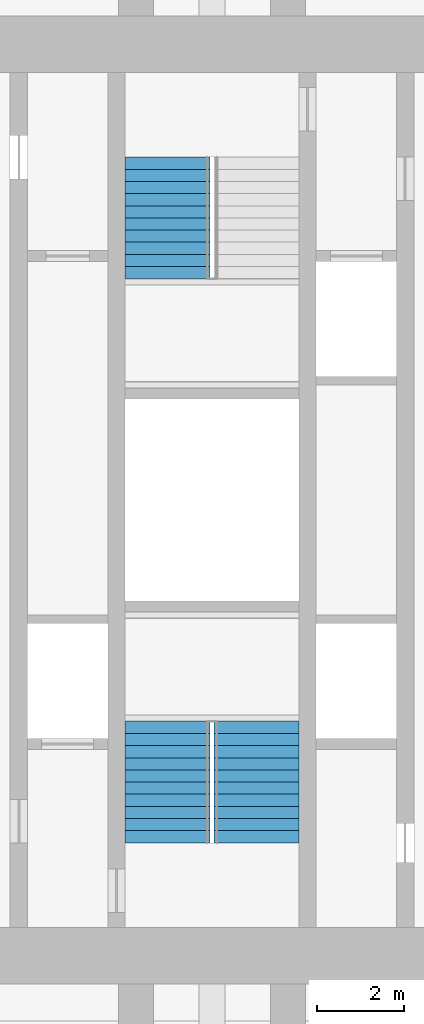
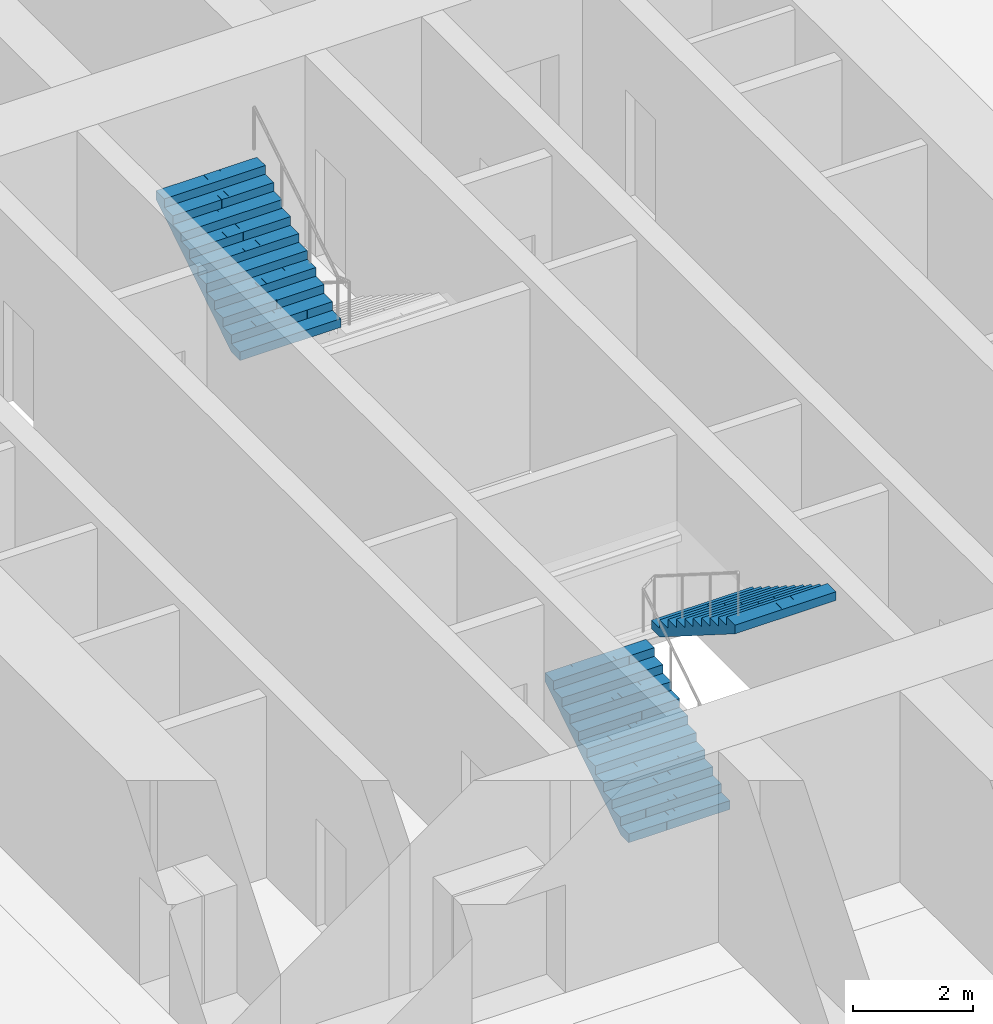
# One storey, part 20 of 22: 3 stair flights, 2 elements without a shape of their own.
"""IFC4 building model written with IfcOpenShell, lengths in metres."""

from ifc_helpers import new_model, si_unit, direction, frame, origin, place, context, subcontext, project, spatial, polyline, outline, extrude, material, type_object, element, aggregate, save


model = new_model("IFC4")

# Units and contexts
model_context = context("Model", 3, precision=1e-05, world=origin(), true_north=direction((0.0, 1.0)))
body_context = subcontext(model_context, "Body", "Model", "MODEL_VIEW")
ifc_project = project(units=[si_unit("LENGTHUNIT", "METRE"), si_unit("AREAUNIT", "SQUARE_METRE"), si_unit("VOLUMEUNIT", "CUBIC_METRE"), si_unit("PLANEANGLEUNIT", "RADIAN"), si_unit("MASSUNIT", "GRAM", prefix="KILO")], contexts=[model_context])

# Site, building, storey
site_placement = place(None, origin())
site = spatial("IfcSite", under=ifc_project, at=site_placement, CompositionType="ELEMENT")
building_placement = place(site_placement, origin())
building = spatial("IfcBuilding", under=site, at=building_placement, Name="Mizan Broadcast Tower", CompositionType="ELEMENT")
storey_placement = place(building_placement, frame((0.0, 0.0, 70.800048828125)))
storey = spatial("IfcBuildingStorey", under=building, at=storey_placement, Name="L14", CompositionType="ELEMENT", Elevation=70.800048828125)

# Stair, stair flights
ifc_material_1 = material(Name="Concrete C40/50", Category="concrete")
stair_type = type_object("IfcStairType", Name="EXIT STAIR", PredefinedType="HALF_TURN_STAIR", material=ifc_material_1)
stair_1_placement = place(storey_placement, origin())
stair_1 = element("IfcStair", 1, at=stair_1_placement, inside=storey, type_object=stair_type, Name="Stair A L14", PredefinedType="HALF_TURN_STAIR")
ifc_material_2 = material(Name="Concrete C40/50", Category="concrete")
stair_flight_type = type_object("IfcStairFlightType", Name="EXIT STAIR FLIGHT", PredefinedType="STRAIGHT", material=ifc_material_2)
stair_flight_1_placement = place(storey_placement, frame((-1.02490234375, -7.89990234375, 0.0), z_axis=(0.0, 0.0, 1.0), x_axis=(0.0, 1.0, 0.0)))
stair_flight_1 = element("IfcStairFlight", 2, at=stair_flight_1_placement, type_object=stair_flight_type, Name="A flight 1", NumberOfRisers=11, NumberOfTreads=10, PredefinedType="STRAIGHT", RiserHeight=0.177272727, TreadLength=0.28, context=body_context, shape_type="SweptSolid", body=[
    extrude(outline(polyline([(0.0, 0.0), (0.0, 0.17724609375), (0.280029296875, 0.17724609375), (0.280029296875, 0.3544921875), (0.56005859375, 0.3544921875), (0.56005859375, 0.53173828125), (0.840087890625, 0.53173828125), (0.840087890625, 0.708984375), (1.1201171875, 0.708984375), (1.1201171875, 0.886474609375), (1.39990234375, 0.886474609375), (1.39990234375, 1.063720703125), (1.679931640625, 1.063720703125), (1.679931640625, 1.240966796875), (1.9599609375, 1.240966796875), (1.9599609375, 1.418212890625), (2.239990234375, 1.418212890625), (2.239990234375, 1.595458984375), (2.52001953125, 1.595458984375), (2.52001953125, 1.772705078125), (2.800048828125, 1.772705078125), (2.800048828125, 1.949951171875), (2.800048828125, 1.59521484375), (0.2802734375, 0.0), (0.0, 0.0)])), frame((0.0, 0.97509765625, 0.0), z_axis=(0.0, -1.0, 0.0), x_axis=(1.0, 0.0, 0.0)), (0.0, 0.0, 1.0), 0.4873046875),
    extrude(outline(polyline([(0.0, 0.0), (0.0, 0.17724609375), (0.280029296875, 0.17724609375), (0.280029296875, 0.3544921875), (0.56005859375, 0.3544921875), (0.56005859375, 0.53173828125), (0.840087890625, 0.53173828125), (0.840087890625, 0.708984375), (1.1201171875, 0.708984375), (1.1201171875, 0.886474609375), (1.39990234375, 0.886474609375), (1.39990234375, 1.063720703125), (1.679931640625, 1.063720703125), (1.679931640625, 1.240966796875), (1.9599609375, 1.240966796875), (1.9599609375, 1.418212890625), (2.239990234375, 1.418212890625), (2.239990234375, 1.595458984375), (2.52001953125, 1.595458984375), (2.52001953125, 1.772705078125), (2.800048828125, 1.772705078125), (2.800048828125, 1.949951171875), (2.800048828125, 1.59521484375), (0.2802734375, 0.0), (0.0, 0.0)])), frame((0.0, 0.4873046875, 0.0), z_axis=(0.0, -1.0, 0.0), x_axis=(1.0, 0.0, 0.0)), (0.0, 0.0, 1.0), 0.2431640625),
    extrude(outline(polyline([(0.0, 0.0), (0.0, 0.17724609375), (0.280029296875, 0.17724609375), (0.280029296875, 0.3544921875), (0.56005859375, 0.3544921875), (0.56005859375, 0.53173828125), (0.840087890625, 0.53173828125), (0.840087890625, 0.708984375), (1.1201171875, 0.708984375), (1.1201171875, 0.886474609375), (1.39990234375, 0.886474609375), (1.39990234375, 1.063720703125), (1.679931640625, 1.063720703125), (1.679931640625, 1.240966796875), (1.9599609375, 1.240966796875), (1.9599609375, 1.418212890625), (2.239990234375, 1.418212890625), (2.239990234375, 1.595458984375), (2.52001953125, 1.595458984375), (2.52001953125, 1.772705078125), (2.800048828125, 1.772705078125), (2.800048828125, 1.949951171875), (2.800048828125, 1.59521484375), (0.2802734375, 0.0), (0.0, 0.0)])), frame((0.0, 0.24365234375, 0.0), z_axis=(0.0, -1.0, 0.0), x_axis=(1.0, 0.0, 0.0)), (0.0, 0.0, 1.0), 0.121337890625),
    extrude(outline(polyline([(0.0, 0.0), (0.0, 0.17724609375), (0.280029296875, 0.17724609375), (0.280029296875, 0.3544921875), (0.56005859375, 0.3544921875), (0.56005859375, 0.53173828125), (0.840087890625, 0.53173828125), (0.840087890625, 0.708984375), (1.1201171875, 0.708984375), (1.1201171875, 0.886474609375), (1.39990234375, 0.886474609375), (1.39990234375, 1.063720703125), (1.679931640625, 1.063720703125), (1.679931640625, 1.240966796875), (1.9599609375, 1.240966796875), (1.9599609375, 1.418212890625), (2.239990234375, 1.418212890625), (2.239990234375, 1.595458984375), (2.52001953125, 1.595458984375), (2.52001953125, 1.772705078125), (2.800048828125, 1.772705078125), (2.800048828125, 1.949951171875), (2.800048828125, 1.59521484375), (0.2802734375, 0.0), (0.0, 0.0)])), frame((0.0, 0.121826171875, 0.0), z_axis=(0.0, -1.0, 0.0), x_axis=(1.0, 0.0, 0.0)), (0.0, 0.0, 1.0), 0.060546875),
    extrude(outline(polyline([(0.0, 0.0), (0.0, 0.17724609375), (0.280029296875, 0.17724609375), (0.280029296875, 0.3544921875), (0.56005859375, 0.3544921875), (0.56005859375, 0.53173828125), (0.840087890625, 0.53173828125), (0.840087890625, 0.708984375), (1.1201171875, 0.708984375), (1.1201171875, 0.886474609375), (1.39990234375, 0.886474609375), (1.39990234375, 1.063720703125), (1.679931640625, 1.063720703125), (1.679931640625, 1.240966796875), (1.9599609375, 1.240966796875), (1.9599609375, 1.418212890625), (2.239990234375, 1.418212890625), (2.239990234375, 1.595458984375), (2.52001953125, 1.595458984375), (2.52001953125, 1.772705078125), (2.800048828125, 1.772705078125), (2.800048828125, 1.949951171875), (2.800048828125, 1.59521484375), (0.2802734375, 0.0), (0.0, 0.0)])), frame((0.0, 0.060791015625, 0.0), z_axis=(0.0, -1.0, 0.0), x_axis=(1.0, 0.0, 0.0)), (0.0, 0.0, 1.0), 0.030029296875),
    extrude(outline(polyline([(0.0, 0.0), (0.0, 0.17724609375), (0.280029296875, 0.17724609375), (0.280029296875, 0.3544921875), (0.56005859375, 0.3544921875), (0.56005859375, 0.53173828125), (0.840087890625, 0.53173828125), (0.840087890625, 0.708984375), (1.1201171875, 0.708984375), (1.1201171875, 0.886474609375), (1.39990234375, 0.886474609375), (1.39990234375, 1.063720703125), (1.679931640625, 1.063720703125), (1.679931640625, 1.240966796875), (1.9599609375, 1.240966796875), (1.9599609375, 1.418212890625), (2.239990234375, 1.418212890625), (2.239990234375, 1.595458984375), (2.52001953125, 1.595458984375), (2.52001953125, 1.772705078125), (2.800048828125, 1.772705078125), (2.800048828125, 1.949951171875), (2.800048828125, 1.59521484375), (0.2802734375, 0.0), (0.0, 0.0)])), frame((0.0, 0.0302734375, 0.0), z_axis=(0.0, -1.0, 0.0), x_axis=(1.0, 0.0, 0.0)), (0.0, 0.0, 1.0), 0.060302734375),
    extrude(outline(polyline([(0.0, 0.0), (0.0, 0.17724609375), (0.280029296875, 0.17724609375), (0.280029296875, 0.3544921875), (0.56005859375, 0.3544921875), (0.56005859375, 0.53173828125), (0.840087890625, 0.53173828125), (0.840087890625, 0.708984375), (1.1201171875, 0.708984375), (1.1201171875, 0.886474609375), (1.39990234375, 0.886474609375), (1.39990234375, 1.063720703125), (1.679931640625, 1.063720703125), (1.679931640625, 1.240966796875), (1.9599609375, 1.240966796875), (1.9599609375, 1.418212890625), (2.239990234375, 1.418212890625), (2.239990234375, 1.595458984375), (2.52001953125, 1.595458984375), (2.52001953125, 1.772705078125), (2.800048828125, 1.772705078125), (2.800048828125, 1.949951171875), (2.800048828125, 1.59521484375), (0.2802734375, 0.0), (0.0, 0.0)])), frame((0.0, -0.030517578125, 0.0), z_axis=(0.0, -1.0, 0.0), x_axis=(1.0, 0.0, 0.0)), (0.0, 0.0, 1.0), 0.030029296875),
    extrude(outline(polyline([(0.0, 0.0), (0.0, 0.17724609375), (0.280029296875, 0.17724609375), (0.280029296875, 0.3544921875), (0.56005859375, 0.3544921875), (0.56005859375, 0.53173828125), (0.840087890625, 0.53173828125), (0.840087890625, 0.708984375), (1.1201171875, 0.708984375), (1.1201171875, 0.886474609375), (1.39990234375, 0.886474609375), (1.39990234375, 1.063720703125), (1.679931640625, 1.063720703125), (1.679931640625, 1.240966796875), (1.9599609375, 1.240966796875), (1.9599609375, 1.418212890625), (2.239990234375, 1.418212890625), (2.239990234375, 1.595458984375), (2.52001953125, 1.595458984375), (2.52001953125, 1.772705078125), (2.800048828125, 1.772705078125), (2.800048828125, 1.949951171875), (2.800048828125, 1.59521484375), (0.2802734375, 0.0), (0.0, 0.0)])), frame((0.0, -0.06103515625, 0.0), z_axis=(0.0, -1.0, 0.0), x_axis=(1.0, 0.0, 0.0)), (0.0, 0.0, 1.0), 0.060546875),
    extrude(outline(polyline([(0.0, 0.0), (0.0, 0.17724609375), (0.280029296875, 0.17724609375), (0.280029296875, 0.3544921875), (0.56005859375, 0.3544921875), (0.56005859375, 0.53173828125), (0.840087890625, 0.53173828125), (0.840087890625, 0.708984375), (1.1201171875, 0.708984375), (1.1201171875, 0.886474609375), (1.39990234375, 0.886474609375), (1.39990234375, 1.063720703125), (1.679931640625, 1.063720703125), (1.679931640625, 1.240966796875), (1.9599609375, 1.240966796875), (1.9599609375, 1.418212890625), (2.239990234375, 1.418212890625), (2.239990234375, 1.595458984375), (2.52001953125, 1.595458984375), (2.52001953125, 1.772705078125), (2.800048828125, 1.772705078125), (2.800048828125, 1.949951171875), (2.800048828125, 1.59521484375), (0.2802734375, 0.0), (0.0, 0.0)])), frame((0.0, -0.1220703125, 0.0), z_axis=(0.0, -1.0, 0.0), x_axis=(1.0, 0.0, 0.0)), (0.0, 0.0, 1.0), 0.121337890625),
    extrude(outline(polyline([(0.0, 0.0), (0.0, 0.17724609375), (0.280029296875, 0.17724609375), (0.280029296875, 0.3544921875), (0.56005859375, 0.3544921875), (0.56005859375, 0.53173828125), (0.840087890625, 0.53173828125), (0.840087890625, 0.708984375), (1.1201171875, 0.708984375), (1.1201171875, 0.886474609375), (1.39990234375, 0.886474609375), (1.39990234375, 1.063720703125), (1.679931640625, 1.063720703125), (1.679931640625, 1.240966796875), (1.9599609375, 1.240966796875), (1.9599609375, 1.418212890625), (2.239990234375, 1.418212890625), (2.239990234375, 1.595458984375), (2.52001953125, 1.595458984375), (2.52001953125, 1.772705078125), (2.800048828125, 1.772705078125), (2.800048828125, 1.949951171875), (2.800048828125, 1.59521484375), (0.2802734375, 0.0), (0.0, 0.0)])), frame((0.0, -0.243896484375, 0.0), z_axis=(0.0, -1.0, 0.0), x_axis=(1.0, 0.0, 0.0)), (0.0, 0.0, 1.0), 0.2431640625),
    extrude(outline(polyline([(0.0, 0.0), (0.0, 0.17724609375), (0.280029296875, 0.17724609375), (0.280029296875, 0.3544921875), (0.56005859375, 0.3544921875), (0.56005859375, 0.53173828125), (0.840087890625, 0.53173828125), (0.840087890625, 0.708984375), (1.1201171875, 0.708984375), (1.1201171875, 0.886474609375), (1.39990234375, 0.886474609375), (1.39990234375, 1.063720703125), (1.679931640625, 1.063720703125), (1.679931640625, 1.240966796875), (1.9599609375, 1.240966796875), (1.9599609375, 1.418212890625), (2.239990234375, 1.418212890625), (2.239990234375, 1.595458984375), (2.52001953125, 1.595458984375), (2.52001953125, 1.772705078125), (2.800048828125, 1.772705078125), (2.800048828125, 1.949951171875), (2.800048828125, 1.59521484375), (0.2802734375, 0.0), (0.0, 0.0)])), frame((0.0, -0.487548828125, 0.0), z_axis=(0.0, -1.0, 0.0), x_axis=(1.0, 0.0, 0.0)), (0.0, 0.0, 1.0), 0.4873046875),
])
stair_flight_2_placement = place(storey_placement, frame((1.02490234375, -5.10009765625, 1.949951171875), z_axis=(0.0, 0.0, 1.0), x_axis=(0.0, -1.0, 0.0)))
stair_flight_2 = element("IfcStairFlight", 3, at=stair_flight_2_placement, type_object=stair_flight_type, Name="A flight 2", NumberOfRisers=11, NumberOfTreads=10, PredefinedType="STRAIGHT", RiserHeight=0.177272727, TreadLength=0.28, context=body_context, shape_type="SweptSolid", body=[
    extrude(outline(polyline([(0.0, 0.0), (0.0, 0.17724609375), (0.280029296875, 0.17724609375), (0.280029296875, 0.3544921875), (0.56005859375, 0.3544921875), (0.56005859375, 0.53173828125), (0.840087890625, 0.53173828125), (0.840087890625, 0.708984375), (1.1201171875, 0.708984375), (1.1201171875, 0.886474609375), (1.39990234375, 0.886474609375), (1.39990234375, 1.063720703125), (1.679931640625, 1.063720703125), (1.679931640625, 1.240966796875), (1.9599609375, 1.240966796875), (1.9599609375, 1.418212890625), (2.239990234375, 1.418212890625), (2.239990234375, 1.595458984375), (2.52001953125, 1.595458984375), (2.52001953125, 1.772705078125), (2.800048828125, 1.772705078125), (2.800048828125, 1.949951171875), (2.800048828125, 1.59521484375), (0.2802734375, 0.0), (0.0, 0.0)])), frame((0.0, 0.97509765625, 0.0), z_axis=(0.0, -1.0, 0.0), x_axis=(1.0, 0.0, 0.0)), (0.0, 0.0, 1.0), 0.4873046875),
    extrude(outline(polyline([(0.0, 0.0), (0.0, 0.17724609375), (0.280029296875, 0.17724609375), (0.280029296875, 0.3544921875), (0.56005859375, 0.3544921875), (0.56005859375, 0.53173828125), (0.840087890625, 0.53173828125), (0.840087890625, 0.708984375), (1.1201171875, 0.708984375), (1.1201171875, 0.886474609375), (1.39990234375, 0.886474609375), (1.39990234375, 1.063720703125), (1.679931640625, 1.063720703125), (1.679931640625, 1.240966796875), (1.9599609375, 1.240966796875), (1.9599609375, 1.418212890625), (2.239990234375, 1.418212890625), (2.239990234375, 1.595458984375), (2.52001953125, 1.595458984375), (2.52001953125, 1.772705078125), (2.800048828125, 1.772705078125), (2.800048828125, 1.949951171875), (2.800048828125, 1.59521484375), (0.2802734375, 0.0), (0.0, 0.0)])), frame((0.0, 0.4873046875, 0.0), z_axis=(0.0, -1.0, 0.0), x_axis=(1.0, 0.0, 0.0)), (0.0, 0.0, 1.0), 0.2431640625),
    extrude(outline(polyline([(0.0, 0.0), (0.0, 0.17724609375), (0.280029296875, 0.17724609375), (0.280029296875, 0.3544921875), (0.56005859375, 0.3544921875), (0.56005859375, 0.53173828125), (0.840087890625, 0.53173828125), (0.840087890625, 0.708984375), (1.1201171875, 0.708984375), (1.1201171875, 0.886474609375), (1.39990234375, 0.886474609375), (1.39990234375, 1.063720703125), (1.679931640625, 1.063720703125), (1.679931640625, 1.240966796875), (1.9599609375, 1.240966796875), (1.9599609375, 1.418212890625), (2.239990234375, 1.418212890625), (2.239990234375, 1.595458984375), (2.52001953125, 1.595458984375), (2.52001953125, 1.772705078125), (2.800048828125, 1.772705078125), (2.800048828125, 1.949951171875), (2.800048828125, 1.59521484375), (0.2802734375, 0.0), (0.0, 0.0)])), frame((0.0, 0.24365234375, 0.0), z_axis=(0.0, -1.0, 0.0), x_axis=(1.0, 0.0, 0.0)), (0.0, 0.0, 1.0), 0.121337890625),
    extrude(outline(polyline([(0.0, 0.0), (0.0, 0.17724609375), (0.280029296875, 0.17724609375), (0.280029296875, 0.3544921875), (0.56005859375, 0.3544921875), (0.56005859375, 0.53173828125), (0.840087890625, 0.53173828125), (0.840087890625, 0.708984375), (1.1201171875, 0.708984375), (1.1201171875, 0.886474609375), (1.39990234375, 0.886474609375), (1.39990234375, 1.063720703125), (1.679931640625, 1.063720703125), (1.679931640625, 1.240966796875), (1.9599609375, 1.240966796875), (1.9599609375, 1.418212890625), (2.239990234375, 1.418212890625), (2.239990234375, 1.595458984375), (2.52001953125, 1.595458984375), (2.52001953125, 1.772705078125), (2.800048828125, 1.772705078125), (2.800048828125, 1.949951171875), (2.800048828125, 1.59521484375), (0.2802734375, 0.0), (0.0, 0.0)])), frame((0.0, 0.121826171875, 0.0), z_axis=(0.0, -1.0, 0.0), x_axis=(1.0, 0.0, 0.0)), (0.0, 0.0, 1.0), 0.060546875),
    extrude(outline(polyline([(0.0, 0.0), (0.0, 0.17724609375), (0.280029296875, 0.17724609375), (0.280029296875, 0.3544921875), (0.56005859375, 0.3544921875), (0.56005859375, 0.53173828125), (0.840087890625, 0.53173828125), (0.840087890625, 0.708984375), (1.1201171875, 0.708984375), (1.1201171875, 0.886474609375), (1.39990234375, 0.886474609375), (1.39990234375, 1.063720703125), (1.679931640625, 1.063720703125), (1.679931640625, 1.240966796875), (1.9599609375, 1.240966796875), (1.9599609375, 1.418212890625), (2.239990234375, 1.418212890625), (2.239990234375, 1.595458984375), (2.52001953125, 1.595458984375), (2.52001953125, 1.772705078125), (2.800048828125, 1.772705078125), (2.800048828125, 1.949951171875), (2.800048828125, 1.59521484375), (0.2802734375, 0.0), (0.0, 0.0)])), frame((0.0, 0.060791015625, 0.0), z_axis=(0.0, -1.0, 0.0), x_axis=(1.0, 0.0, 0.0)), (0.0, 0.0, 1.0), 0.030029296875),
    extrude(outline(polyline([(0.0, 0.0), (0.0, 0.17724609375), (0.280029296875, 0.17724609375), (0.280029296875, 0.3544921875), (0.56005859375, 0.3544921875), (0.56005859375, 0.53173828125), (0.840087890625, 0.53173828125), (0.840087890625, 0.708984375), (1.1201171875, 0.708984375), (1.1201171875, 0.886474609375), (1.39990234375, 0.886474609375), (1.39990234375, 1.063720703125), (1.679931640625, 1.063720703125), (1.679931640625, 1.240966796875), (1.9599609375, 1.240966796875), (1.9599609375, 1.418212890625), (2.239990234375, 1.418212890625), (2.239990234375, 1.595458984375), (2.52001953125, 1.595458984375), (2.52001953125, 1.772705078125), (2.800048828125, 1.772705078125), (2.800048828125, 1.949951171875), (2.800048828125, 1.59521484375), (0.2802734375, 0.0), (0.0, 0.0)])), frame((0.0, 0.0302734375, 0.0), z_axis=(0.0, -1.0, 0.0), x_axis=(1.0, 0.0, 0.0)), (0.0, 0.0, 1.0), 0.060302734375),
    extrude(outline(polyline([(0.0, 0.0), (0.0, 0.17724609375), (0.280029296875, 0.17724609375), (0.280029296875, 0.3544921875), (0.56005859375, 0.3544921875), (0.56005859375, 0.53173828125), (0.840087890625, 0.53173828125), (0.840087890625, 0.708984375), (1.1201171875, 0.708984375), (1.1201171875, 0.886474609375), (1.39990234375, 0.886474609375), (1.39990234375, 1.063720703125), (1.679931640625, 1.063720703125), (1.679931640625, 1.240966796875), (1.9599609375, 1.240966796875), (1.9599609375, 1.418212890625), (2.239990234375, 1.418212890625), (2.239990234375, 1.595458984375), (2.52001953125, 1.595458984375), (2.52001953125, 1.772705078125), (2.800048828125, 1.772705078125), (2.800048828125, 1.949951171875), (2.800048828125, 1.59521484375), (0.2802734375, 0.0), (0.0, 0.0)])), frame((0.0, -0.030517578125, 0.0), z_axis=(0.0, -1.0, 0.0), x_axis=(1.0, 0.0, 0.0)), (0.0, 0.0, 1.0), 0.030029296875),
    extrude(outline(polyline([(0.0, 0.0), (0.0, 0.17724609375), (0.280029296875, 0.17724609375), (0.280029296875, 0.3544921875), (0.56005859375, 0.3544921875), (0.56005859375, 0.53173828125), (0.840087890625, 0.53173828125), (0.840087890625, 0.708984375), (1.1201171875, 0.708984375), (1.1201171875, 0.886474609375), (1.39990234375, 0.886474609375), (1.39990234375, 1.063720703125), (1.679931640625, 1.063720703125), (1.679931640625, 1.240966796875), (1.9599609375, 1.240966796875), (1.9599609375, 1.418212890625), (2.239990234375, 1.418212890625), (2.239990234375, 1.595458984375), (2.52001953125, 1.595458984375), (2.52001953125, 1.772705078125), (2.800048828125, 1.772705078125), (2.800048828125, 1.949951171875), (2.800048828125, 1.59521484375), (0.2802734375, 0.0), (0.0, 0.0)])), frame((0.0, -0.06103515625, 0.0), z_axis=(0.0, -1.0, 0.0), x_axis=(1.0, 0.0, 0.0)), (0.0, 0.0, 1.0), 0.060546875),
    extrude(outline(polyline([(0.0, 0.0), (0.0, 0.17724609375), (0.280029296875, 0.17724609375), (0.280029296875, 0.3544921875), (0.56005859375, 0.3544921875), (0.56005859375, 0.53173828125), (0.840087890625, 0.53173828125), (0.840087890625, 0.708984375), (1.1201171875, 0.708984375), (1.1201171875, 0.886474609375), (1.39990234375, 0.886474609375), (1.39990234375, 1.063720703125), (1.679931640625, 1.063720703125), (1.679931640625, 1.240966796875), (1.9599609375, 1.240966796875), (1.9599609375, 1.418212890625), (2.239990234375, 1.418212890625), (2.239990234375, 1.595458984375), (2.52001953125, 1.595458984375), (2.52001953125, 1.772705078125), (2.800048828125, 1.772705078125), (2.800048828125, 1.949951171875), (2.800048828125, 1.59521484375), (0.2802734375, 0.0), (0.0, 0.0)])), frame((0.0, -0.1220703125, 0.0), z_axis=(0.0, -1.0, 0.0), x_axis=(1.0, 0.0, 0.0)), (0.0, 0.0, 1.0), 0.121337890625),
    extrude(outline(polyline([(0.0, 0.0), (0.0, 0.17724609375), (0.280029296875, 0.17724609375), (0.280029296875, 0.3544921875), (0.56005859375, 0.3544921875), (0.56005859375, 0.53173828125), (0.840087890625, 0.53173828125), (0.840087890625, 0.708984375), (1.1201171875, 0.708984375), (1.1201171875, 0.886474609375), (1.39990234375, 0.886474609375), (1.39990234375, 1.063720703125), (1.679931640625, 1.063720703125), (1.679931640625, 1.240966796875), (1.9599609375, 1.240966796875), (1.9599609375, 1.418212890625), (2.239990234375, 1.418212890625), (2.239990234375, 1.595458984375), (2.52001953125, 1.595458984375), (2.52001953125, 1.772705078125), (2.800048828125, 1.772705078125), (2.800048828125, 1.949951171875), (2.800048828125, 1.59521484375), (0.2802734375, 0.0), (0.0, 0.0)])), frame((0.0, -0.243896484375, 0.0), z_axis=(0.0, -1.0, 0.0), x_axis=(1.0, 0.0, 0.0)), (0.0, 0.0, 1.0), 0.2431640625),
    extrude(outline(polyline([(0.0, 0.0), (0.0, 0.17724609375), (0.280029296875, 0.17724609375), (0.280029296875, 0.3544921875), (0.56005859375, 0.3544921875), (0.56005859375, 0.53173828125), (0.840087890625, 0.53173828125), (0.840087890625, 0.708984375), (1.1201171875, 0.708984375), (1.1201171875, 0.886474609375), (1.39990234375, 0.886474609375), (1.39990234375, 1.063720703125), (1.679931640625, 1.063720703125), (1.679931640625, 1.240966796875), (1.9599609375, 1.240966796875), (1.9599609375, 1.418212890625), (2.239990234375, 1.418212890625), (2.239990234375, 1.595458984375), (2.52001953125, 1.595458984375), (2.52001953125, 1.772705078125), (2.800048828125, 1.772705078125), (2.800048828125, 1.949951171875), (2.800048828125, 1.59521484375), (0.2802734375, 0.0), (0.0, 0.0)])), frame((0.0, -0.487548828125, 0.0), z_axis=(0.0, -1.0, 0.0), x_axis=(1.0, 0.0, 0.0)), (0.0, 0.0, 1.0), 0.4873046875),
])
aggregate(stair_1, [stair_flight_1, stair_flight_2])

# Stair, stair flight
stair_2_placement = place(storey_placement, origin())
stair_2 = element("IfcStair", 4, at=stair_2_placement, inside=storey, type_object=stair_type, Name="Stair B L14", PredefinedType="HALF_TURN_STAIR")
stair_flight_3_placement = place(storey_placement, frame((-1.02490234375, 5.10009765625, 1.949951171875), z_axis=(0.0, 0.0, 1.0), x_axis=(0.0, 1.0, 0.0)))
stair_flight_3 = element("IfcStairFlight", 5, at=stair_flight_3_placement, type_object=stair_flight_type, Name="B flight 2", NumberOfRisers=11, NumberOfTreads=10, PredefinedType="STRAIGHT", RiserHeight=0.177272727, TreadLength=0.28, context=body_context, shape_type="SweptSolid", body=[
    extrude(outline(polyline([(0.0, 0.0), (0.0, 0.17724609375), (0.280029296875, 0.17724609375), (0.280029296875, 0.3544921875), (0.56005859375, 0.3544921875), (0.56005859375, 0.53173828125), (0.840087890625, 0.53173828125), (0.840087890625, 0.708984375), (1.1201171875, 0.708984375), (1.1201171875, 0.886474609375), (1.39990234375, 0.886474609375), (1.39990234375, 1.063720703125), (1.679931640625, 1.063720703125), (1.679931640625, 1.240966796875), (1.9599609375, 1.240966796875), (1.9599609375, 1.418212890625), (2.239990234375, 1.418212890625), (2.239990234375, 1.595458984375), (2.52001953125, 1.595458984375), (2.52001953125, 1.772705078125), (2.800048828125, 1.772705078125), (2.800048828125, 1.949951171875), (2.800048828125, 1.59521484375), (0.2802734375, 0.0), (0.0, 0.0)])), frame((0.0, 0.97509765625, 0.0), z_axis=(0.0, -1.0, 0.0), x_axis=(1.0, 0.0, 0.0)), (0.0, 0.0, 1.0), 0.4873046875),
    extrude(outline(polyline([(0.0, 0.0), (0.0, 0.17724609375), (0.280029296875, 0.17724609375), (0.280029296875, 0.3544921875), (0.56005859375, 0.3544921875), (0.56005859375, 0.53173828125), (0.840087890625, 0.53173828125), (0.840087890625, 0.708984375), (1.1201171875, 0.708984375), (1.1201171875, 0.886474609375), (1.39990234375, 0.886474609375), (1.39990234375, 1.063720703125), (1.679931640625, 1.063720703125), (1.679931640625, 1.240966796875), (1.9599609375, 1.240966796875), (1.9599609375, 1.418212890625), (2.239990234375, 1.418212890625), (2.239990234375, 1.595458984375), (2.52001953125, 1.595458984375), (2.52001953125, 1.772705078125), (2.800048828125, 1.772705078125), (2.800048828125, 1.949951171875), (2.800048828125, 1.59521484375), (0.2802734375, 0.0), (0.0, 0.0)])), frame((0.0, 0.4873046875, 0.0), z_axis=(0.0, -1.0, 0.0), x_axis=(1.0, 0.0, 0.0)), (0.0, 0.0, 1.0), 0.2431640625),
    extrude(outline(polyline([(0.0, 0.0), (0.0, 0.17724609375), (0.280029296875, 0.17724609375), (0.280029296875, 0.3544921875), (0.56005859375, 0.3544921875), (0.56005859375, 0.53173828125), (0.840087890625, 0.53173828125), (0.840087890625, 0.708984375), (1.1201171875, 0.708984375), (1.1201171875, 0.886474609375), (1.39990234375, 0.886474609375), (1.39990234375, 1.063720703125), (1.679931640625, 1.063720703125), (1.679931640625, 1.240966796875), (1.9599609375, 1.240966796875), (1.9599609375, 1.418212890625), (2.239990234375, 1.418212890625), (2.239990234375, 1.595458984375), (2.52001953125, 1.595458984375), (2.52001953125, 1.772705078125), (2.800048828125, 1.772705078125), (2.800048828125, 1.949951171875), (2.800048828125, 1.59521484375), (0.2802734375, 0.0), (0.0, 0.0)])), frame((0.0, 0.24365234375, 0.0), z_axis=(0.0, -1.0, 0.0), x_axis=(1.0, 0.0, 0.0)), (0.0, 0.0, 1.0), 0.121337890625),
    extrude(outline(polyline([(0.0, 0.0), (0.0, 0.17724609375), (0.280029296875, 0.17724609375), (0.280029296875, 0.3544921875), (0.56005859375, 0.3544921875), (0.56005859375, 0.53173828125), (0.840087890625, 0.53173828125), (0.840087890625, 0.708984375), (1.1201171875, 0.708984375), (1.1201171875, 0.886474609375), (1.39990234375, 0.886474609375), (1.39990234375, 1.063720703125), (1.679931640625, 1.063720703125), (1.679931640625, 1.240966796875), (1.9599609375, 1.240966796875), (1.9599609375, 1.418212890625), (2.239990234375, 1.418212890625), (2.239990234375, 1.595458984375), (2.52001953125, 1.595458984375), (2.52001953125, 1.772705078125), (2.800048828125, 1.772705078125), (2.800048828125, 1.949951171875), (2.800048828125, 1.59521484375), (0.2802734375, 0.0), (0.0, 0.0)])), frame((0.0, 0.121826171875, 0.0), z_axis=(0.0, -1.0, 0.0), x_axis=(1.0, 0.0, 0.0)), (0.0, 0.0, 1.0), 0.060546875),
    extrude(outline(polyline([(0.0, 0.0), (0.0, 0.17724609375), (0.280029296875, 0.17724609375), (0.280029296875, 0.3544921875), (0.56005859375, 0.3544921875), (0.56005859375, 0.53173828125), (0.840087890625, 0.53173828125), (0.840087890625, 0.708984375), (1.1201171875, 0.708984375), (1.1201171875, 0.886474609375), (1.39990234375, 0.886474609375), (1.39990234375, 1.063720703125), (1.679931640625, 1.063720703125), (1.679931640625, 1.240966796875), (1.9599609375, 1.240966796875), (1.9599609375, 1.418212890625), (2.239990234375, 1.418212890625), (2.239990234375, 1.595458984375), (2.52001953125, 1.595458984375), (2.52001953125, 1.772705078125), (2.800048828125, 1.772705078125), (2.800048828125, 1.949951171875), (2.800048828125, 1.59521484375), (0.2802734375, 0.0), (0.0, 0.0)])), frame((0.0, 0.060791015625, 0.0), z_axis=(0.0, -1.0, 0.0), x_axis=(1.0, 0.0, 0.0)), (0.0, 0.0, 1.0), 0.030029296875),
    extrude(outline(polyline([(0.0, 0.0), (0.0, 0.17724609375), (0.280029296875, 0.17724609375), (0.280029296875, 0.3544921875), (0.56005859375, 0.3544921875), (0.56005859375, 0.53173828125), (0.840087890625, 0.53173828125), (0.840087890625, 0.708984375), (1.1201171875, 0.708984375), (1.1201171875, 0.886474609375), (1.39990234375, 0.886474609375), (1.39990234375, 1.063720703125), (1.679931640625, 1.063720703125), (1.679931640625, 1.240966796875), (1.9599609375, 1.240966796875), (1.9599609375, 1.418212890625), (2.239990234375, 1.418212890625), (2.239990234375, 1.595458984375), (2.52001953125, 1.595458984375), (2.52001953125, 1.772705078125), (2.800048828125, 1.772705078125), (2.800048828125, 1.949951171875), (2.800048828125, 1.59521484375), (0.2802734375, 0.0), (0.0, 0.0)])), frame((0.0, 0.0302734375, 0.0), z_axis=(0.0, -1.0, 0.0), x_axis=(1.0, 0.0, 0.0)), (0.0, 0.0, 1.0), 0.060302734375),
    extrude(outline(polyline([(0.0, 0.0), (0.0, 0.17724609375), (0.280029296875, 0.17724609375), (0.280029296875, 0.3544921875), (0.56005859375, 0.3544921875), (0.56005859375, 0.53173828125), (0.840087890625, 0.53173828125), (0.840087890625, 0.708984375), (1.1201171875, 0.708984375), (1.1201171875, 0.886474609375), (1.39990234375, 0.886474609375), (1.39990234375, 1.063720703125), (1.679931640625, 1.063720703125), (1.679931640625, 1.240966796875), (1.9599609375, 1.240966796875), (1.9599609375, 1.418212890625), (2.239990234375, 1.418212890625), (2.239990234375, 1.595458984375), (2.52001953125, 1.595458984375), (2.52001953125, 1.772705078125), (2.800048828125, 1.772705078125), (2.800048828125, 1.949951171875), (2.800048828125, 1.59521484375), (0.2802734375, 0.0), (0.0, 0.0)])), frame((0.0, -0.030517578125, 0.0), z_axis=(0.0, -1.0, 0.0), x_axis=(1.0, 0.0, 0.0)), (0.0, 0.0, 1.0), 0.030029296875),
    extrude(outline(polyline([(0.0, 0.0), (0.0, 0.17724609375), (0.280029296875, 0.17724609375), (0.280029296875, 0.3544921875), (0.56005859375, 0.3544921875), (0.56005859375, 0.53173828125), (0.840087890625, 0.53173828125), (0.840087890625, 0.708984375), (1.1201171875, 0.708984375), (1.1201171875, 0.886474609375), (1.39990234375, 0.886474609375), (1.39990234375, 1.063720703125), (1.679931640625, 1.063720703125), (1.679931640625, 1.240966796875), (1.9599609375, 1.240966796875), (1.9599609375, 1.418212890625), (2.239990234375, 1.418212890625), (2.239990234375, 1.595458984375), (2.52001953125, 1.595458984375), (2.52001953125, 1.772705078125), (2.800048828125, 1.772705078125), (2.800048828125, 1.949951171875), (2.800048828125, 1.59521484375), (0.2802734375, 0.0), (0.0, 0.0)])), frame((0.0, -0.06103515625, 0.0), z_axis=(0.0, -1.0, 0.0), x_axis=(1.0, 0.0, 0.0)), (0.0, 0.0, 1.0), 0.060546875),
    extrude(outline(polyline([(0.0, 0.0), (0.0, 0.17724609375), (0.280029296875, 0.17724609375), (0.280029296875, 0.3544921875), (0.56005859375, 0.3544921875), (0.56005859375, 0.53173828125), (0.840087890625, 0.53173828125), (0.840087890625, 0.708984375), (1.1201171875, 0.708984375), (1.1201171875, 0.886474609375), (1.39990234375, 0.886474609375), (1.39990234375, 1.063720703125), (1.679931640625, 1.063720703125), (1.679931640625, 1.240966796875), (1.9599609375, 1.240966796875), (1.9599609375, 1.418212890625), (2.239990234375, 1.418212890625), (2.239990234375, 1.595458984375), (2.52001953125, 1.595458984375), (2.52001953125, 1.772705078125), (2.800048828125, 1.772705078125), (2.800048828125, 1.949951171875), (2.800048828125, 1.59521484375), (0.2802734375, 0.0), (0.0, 0.0)])), frame((0.0, -0.1220703125, 0.0), z_axis=(0.0, -1.0, 0.0), x_axis=(1.0, 0.0, 0.0)), (0.0, 0.0, 1.0), 0.121337890625),
    extrude(outline(polyline([(0.0, 0.0), (0.0, 0.17724609375), (0.280029296875, 0.17724609375), (0.280029296875, 0.3544921875), (0.56005859375, 0.3544921875), (0.56005859375, 0.53173828125), (0.840087890625, 0.53173828125), (0.840087890625, 0.708984375), (1.1201171875, 0.708984375), (1.1201171875, 0.886474609375), (1.39990234375, 0.886474609375), (1.39990234375, 1.063720703125), (1.679931640625, 1.063720703125), (1.679931640625, 1.240966796875), (1.9599609375, 1.240966796875), (1.9599609375, 1.418212890625), (2.239990234375, 1.418212890625), (2.239990234375, 1.595458984375), (2.52001953125, 1.595458984375), (2.52001953125, 1.772705078125), (2.800048828125, 1.772705078125), (2.800048828125, 1.949951171875), (2.800048828125, 1.59521484375), (0.2802734375, 0.0), (0.0, 0.0)])), frame((0.0, -0.243896484375, 0.0), z_axis=(0.0, -1.0, 0.0), x_axis=(1.0, 0.0, 0.0)), (0.0, 0.0, 1.0), 0.2431640625),
    extrude(outline(polyline([(0.0, 0.0), (0.0, 0.17724609375), (0.280029296875, 0.17724609375), (0.280029296875, 0.3544921875), (0.56005859375, 0.3544921875), (0.56005859375, 0.53173828125), (0.840087890625, 0.53173828125), (0.840087890625, 0.708984375), (1.1201171875, 0.708984375), (1.1201171875, 0.886474609375), (1.39990234375, 0.886474609375), (1.39990234375, 1.063720703125), (1.679931640625, 1.063720703125), (1.679931640625, 1.240966796875), (1.9599609375, 1.240966796875), (1.9599609375, 1.418212890625), (2.239990234375, 1.418212890625), (2.239990234375, 1.595458984375), (2.52001953125, 1.595458984375), (2.52001953125, 1.772705078125), (2.800048828125, 1.772705078125), (2.800048828125, 1.949951171875), (2.800048828125, 1.59521484375), (0.2802734375, 0.0), (0.0, 0.0)])), frame((0.0, -0.487548828125, 0.0), z_axis=(0.0, -1.0, 0.0), x_axis=(1.0, 0.0, 0.0)), (0.0, 0.0, 1.0), 0.4873046875),
])
aggregate(stair_2, [stair_flight_3])

save(model, "model.ifc")
